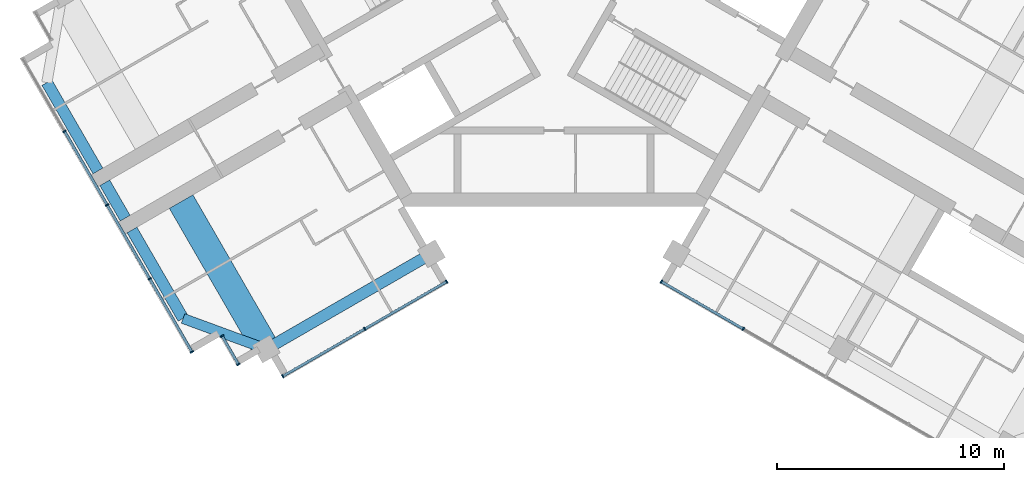
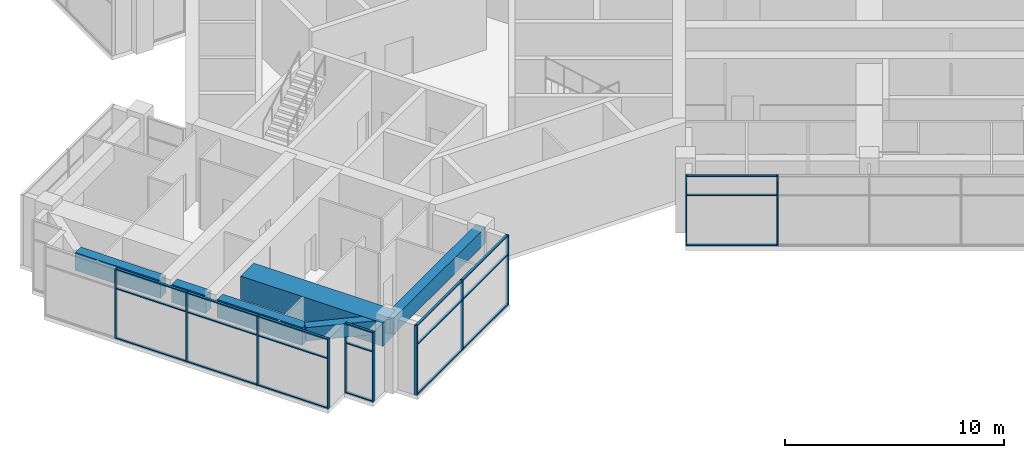
# One storey, part 2 of 14: 32 members, 6 beams, 4 elements without a shape of their own.
"""IFC4 building model written with IfcOpenShell, lengths in metres."""

from ifc_helpers import new_model, si_unit, direction, frame, origin, origin_2d, place, context, subcontext, project, spatial, rectangle, extrude, material, material_profile, profile_set, type_object, element, aggregate, save


model = new_model("IFC4")

# Units and contexts
model_context = context("Model", 3, precision=1e-05, world=origin(), true_north=direction((0.0, 1.0)))
body_context = subcontext(model_context, "Body", "Model", "MODEL_VIEW")
ifc_project = project(units=[si_unit("LENGTHUNIT", "METRE"), si_unit("AREAUNIT", "SQUARE_METRE"), si_unit("VOLUMEUNIT", "CUBIC_METRE"), si_unit("PLANEANGLEUNIT", "RADIAN"), si_unit("MASSUNIT", "GRAM", prefix="KILO")], contexts=[model_context])

# Site, building, storey
site_placement = place(None, origin())
site = spatial("IfcSite", under=ifc_project, at=site_placement, CompositionType="ELEMENT")
building_placement = place(site_placement, origin())
building = spatial("IfcBuilding", under=site, at=building_placement, Name="Impinga Residences", CompositionType="ELEMENT")
storey_placement = place(building_placement, frame((0.0, 0.0, 291.550048828125)))
storey = spatial("IfcBuildingStorey", under=building, at=storey_placement, Name="L73", CompositionType="ELEMENT", Elevation=291.550048828125)

# Beams
ifc_material_1 = material(Name="Concrete C60/75", Category="concrete")
ifc_material_profile_1 = material_profile(ifc_material_1, rectangle(XDim=0.449951171875, YDim=0.75, at=origin_2d()), Name="RC 450x750")
ifc_profile_set_1 = profile_set([ifc_material_profile_1], Name="Concrete C60/75")
beam_type_1 = type_object("IfcBeamType", Name="CB1 450x750 wing end cantilever beam", PredefinedType="BEAM", material=ifc_profile_set_1)
beam_1_placement = place(storey_placement, frame((-12.674560546875, -17.7099609375, 3.52490234375), z_axis=(-0.938520178725, 0.345224382289, 0.0), x_axis=(-0.345224382289, -0.938520178725, 0.0)))
element("IfcBeam", 1, at=beam_1_placement, inside=storey, type_object=beam_type_1, Name="Beam CB1 WB W2-WX level L74", PredefinedType="BEAM", context=body_context, shape_type="SweptSolid", body=[
    extrude(rectangle(XDim=0.449951171875, YDim=0.75, at=origin_2d()), origin(), (0.0, 0.0, 1.0), 3.905029296875),
])
ifc_material_profile_2 = material_profile(ifc_material_1, rectangle(XDim=1.199951171875, YDim=1.300048828125, at=origin_2d()), Name="RC 1200x1300")
ifc_profile_set_2 = profile_set([ifc_material_profile_2], Name="Concrete C60/75")
beam_type_2 = type_object("IfcBeamType", Name="CG2 1200x1300 cross girder on a wing bay line", PredefinedType="BEAM", material=ifc_profile_set_2)
beam_2_placement = place(storey_placement, frame((-16.424560546875, -11.21484375, 3.25), z_axis=(0.500004234368, -0.866022959057, 0.0), x_axis=(0.866022959057, 0.500004234368, 0.0)))
element("IfcBeam", 2, at=beam_2_placement, inside=storey, type_object=beam_type_2, Name="Beam CG2 W2 WC/WA level L74", PredefinedType="BEAM", context=body_context, shape_type="SweptSolid", body=[
    extrude(rectangle(XDim=1.199951171875, YDim=1.300048828125, at=origin_2d()), origin(), (0.0, 0.0, 1.0), 7.5),
])

# Curtain wall, members
ifc_material_2 = material(Name="Aluminium stick curtain wall", Category="aluminium")
curtain_wall_type = type_object("IfcCurtainWallType", Name="CW3 penthouse curtain wall", PredefinedType="USERDEFINED", material=ifc_material_2)
curtain_wall_1_placement = place(storey_placement, origin())
curtain_wall_1 = element("IfcCurtainWall", 3, at=curtain_wall_1_placement, inside=storey, type_object=curtain_wall_type, Name="Curtain wall CW3 L73", ObjectType="STICK CURTAIN WALL", PredefinedType="USERDEFINED")
ifc_material_3 = material(Name="Aluminium mullion", Category="aluminium")
ifc_material_profile_3 = material_profile(ifc_material_3, rectangle(XDim=0.06005859375, YDim=0.159912109375, at=origin_2d()), Name="60x160 mullion")
ifc_profile_set_3 = profile_set([ifc_material_profile_3], Name="Aluminium mullion")
member_type_1 = type_object("IfcMemberType", Name="CW3-M mullion 60x160", PredefinedType="MULLION", material=ifc_profile_set_3)
member_1_placement = place(storey_placement, frame((8.33740234375, -16.822509765625, 0.0), z_axis=(0.0, 0.0, 1.0), x_axis=(-0.866025407005, 0.499999994423, 0.0)))
member_1 = element("IfcMember", 4, at=member_1_placement, type_object=member_type_1, Name="CW3 mullion 4", PredefinedType="MULLION", context=body_context, shape_type="SweptSolid", body=[
    extrude(rectangle(XDim=0.06005859375, YDim=0.159912109375, at=origin_2d()), origin(), (0.0, 0.0, 1.0), 3.89990234375),
])
member_2_placement = place(storey_placement, frame((4.72607421875, -14.737548828125, 0.0), z_axis=(0.0, 0.0, 1.0), x_axis=(-0.866025407005, 0.499999994423, 0.0)))
member_2 = element("IfcMember", 5, at=member_2_placement, type_object=member_type_1, Name="CW3 mullion 5", PredefinedType="MULLION", context=body_context, shape_type="SweptSolid", body=[
    extrude(rectangle(XDim=0.06005859375, YDim=0.159912109375, at=origin_2d()), origin(), (0.0, 0.0, 1.0), 3.89990234375),
])

curtain_wall_2_placement = place(storey_placement, origin())
curtain_wall_2 = element("IfcCurtainWall", 6, at=curtain_wall_2_placement, inside=storey, type_object=curtain_wall_type, Name="Curtain wall CW3 L73", ObjectType="STICK CURTAIN WALL", PredefinedType="USERDEFINED")
member_3_placement = place(storey_placement, frame((-4.72607421875, -14.737548828125, 0.0), z_axis=(0.0, 0.0, 1.0), x_axis=(-0.866025392126, -0.500000020194, 0.0)))
member_3 = element("IfcMember", 7, at=member_3_placement, type_object=member_type_1, Name="CW3 mullion 1", PredefinedType="MULLION", context=body_context, shape_type="SweptSolid", body=[
    extrude(rectangle(XDim=0.06005859375, YDim=0.159912109375, at=origin_2d()), origin(), (0.0, 0.0, 1.0), 3.89990234375),
])
member_4_placement = place(storey_placement, frame((-8.33740234375, -16.822509765625, 0.0), z_axis=(0.0, 0.0, 1.0), x_axis=(-0.866025392126, -0.500000020194, 0.0)))
member_4 = element("IfcMember", 8, at=member_4_placement, type_object=member_type_1, Name="CW3 mullion 2", PredefinedType="MULLION", context=body_context, shape_type="SweptSolid", body=[
    extrude(rectangle(XDim=0.06005859375, YDim=0.159912109375, at=origin_2d()), origin(), (0.0, 0.0, 1.0), 3.89990234375),
])
member_5_placement = place(storey_placement, frame((-11.94873046875, -18.907470703125, 0.0), z_axis=(0.0, 0.0, 1.0), x_axis=(-0.866025392126, -0.500000020194, 0.0)))
member_5 = element("IfcMember", 9, at=member_5_placement, type_object=member_type_1, Name="CW3 mullion 3", PredefinedType="MULLION", context=body_context, shape_type="SweptSolid", body=[
    extrude(rectangle(XDim=0.06005859375, YDim=0.159912109375, at=origin_2d()), origin(), (0.0, 0.0, 1.0), 3.89990234375),
])

curtain_wall_3_placement = place(storey_placement, origin())
curtain_wall_3 = element("IfcCurtainWall", 10, at=curtain_wall_3_placement, inside=storey, type_object=curtain_wall_type, Name="Curtain wall CW3 L73", ObjectType="STICK CURTAIN WALL", PredefinedType="USERDEFINED")
member_6_placement = place(storey_placement, frame((-13.902099609375, -18.384033203125, 0.0), z_axis=(0.0, 0.0, 1.0), x_axis=(-0.500000030502, 0.866025386174, 0.0)))
member_6 = element("IfcMember", 11, at=member_6_placement, type_object=member_type_1, Name="CW3 mullion 1", PredefinedType="MULLION", context=body_context, shape_type="SweptSolid", body=[
    extrude(rectangle(XDim=0.06005859375, YDim=0.159912109375, at=origin_2d()), origin(), (0.0, 0.0, 1.0), 3.89990234375),
])
member_7_placement = place(storey_placement, frame((-14.6220703125, -17.136962890625, 0.0), z_axis=(0.0, 0.0, 1.0), x_axis=(-0.500000030502, 0.866025386174, 0.0)))
member_7 = element("IfcMember", 12, at=member_7_placement, type_object=member_type_1, Name="CW3 mullion 2", PredefinedType="MULLION", context=body_context, shape_type="SweptSolid", body=[
    extrude(rectangle(XDim=0.06005859375, YDim=0.159912109375, at=origin_2d()), origin(), (0.0, 0.0, 1.0), 3.89990234375),
])

curtain_wall_4_placement = place(storey_placement, origin())
curtain_wall_4 = element("IfcCurtainWall", 13, at=curtain_wall_4_placement, inside=storey, type_object=curtain_wall_type, Name="Curtain wall CW3 L73", ObjectType="STICK CURTAIN WALL", PredefinedType="USERDEFINED")
member_8_placement = place(storey_placement, frame((-15.951171875, -17.8349609375, 0.0), z_axis=(0.0, 0.0, 1.0), x_axis=(-0.500000001632, 0.866025402842, 0.0)))
member_8 = element("IfcMember", 14, at=member_8_placement, type_object=member_type_1, Name="CW3 mullion 1", PredefinedType="MULLION", context=body_context, shape_type="SweptSolid", body=[
    extrude(rectangle(XDim=0.06005859375, YDim=0.159912109375, at=origin_2d()), origin(), (0.0, 0.0, 1.0), 3.89990234375),
])
member_9_placement = place(storey_placement, frame((-17.81103515625, -14.61328125, 0.0), z_axis=(0.0, 0.0, 1.0), x_axis=(-0.500000001632, 0.866025402842, 0.0)))
member_9 = element("IfcMember", 15, at=member_9_placement, type_object=member_type_1, Name="CW3 mullion 2", PredefinedType="MULLION", context=body_context, shape_type="SweptSolid", body=[
    extrude(rectangle(XDim=0.06005859375, YDim=0.159912109375, at=origin_2d()), origin(), (0.0, 0.0, 1.0), 3.89990234375),
])
member_10_placement = place(storey_placement, frame((-19.68603515625, -11.36572265625, 0.0), z_axis=(0.0, 0.0, 1.0), x_axis=(-0.500000001632, 0.866025402842, 0.0)))
member_10 = element("IfcMember", 16, at=member_10_placement, type_object=member_type_1, Name="CW3 mullion 3", PredefinedType="MULLION", context=body_context, shape_type="SweptSolid", body=[
    extrude(rectangle(XDim=0.06005859375, YDim=0.159912109375, at=origin_2d()), origin(), (0.0, 0.0, 1.0), 3.89990234375),
])
member_11_placement = place(storey_placement, frame((-21.56103515625, -8.1181640625, 0.0), z_axis=(0.0, 0.0, 1.0), x_axis=(-0.500000001632, 0.866025402842, 0.0)))
member_11 = element("IfcMember", 17, at=member_11_placement, type_object=member_type_1, Name="CW3 mullion 4", PredefinedType="MULLION", context=body_context, shape_type="SweptSolid", body=[
    extrude(rectangle(XDim=0.06005859375, YDim=0.159912109375, at=origin_2d()), origin(), (0.0, 0.0, 1.0), 3.89990234375),
])

# Member
ifc_material_4 = material(Name="Aluminium transom", Category="aluminium")
ifc_material_profile_4 = material_profile(ifc_material_4, rectangle(XDim=0.06005859375, YDim=0.1201171875, at=origin_2d()), Name="60x120 transom")
ifc_profile_set_4 = profile_set([ifc_material_profile_4], Name="Aluminium transom")
member_type_2 = type_object("IfcMemberType", Name="CW3-T transom 60x120", PredefinedType="USERDEFINED", material=ifc_profile_set_4)
member_12_placement = place(storey_placement, frame((8.311279296875, -16.807373046875, 0.030029296875), z_axis=(-0.866030279993, 0.499991554064, 0.0), x_axis=(0.0, 0.0, 1.0)))
member_12 = element("IfcMember", 18, at=member_12_placement, type_object=member_type_2, Name="CW3 transom 4.1", ObjectType="TRANSOM", PredefinedType="USERDEFINED", context=body_context, shape_type="SweptSolid", body=[
    extrude(rectangle(XDim=0.06005859375, YDim=0.1201171875, at=origin_2d()), origin(), (0.0, 0.0, 1.0), 4.10986328125),
])

member_13_placement = place(storey_placement, frame((8.311279296875, -16.807373046875, 2.800048828125), z_axis=(-0.866030279993, 0.499991554064, 0.0), x_axis=(0.0, 0.0, 1.0)))
member_13 = element("IfcMember", 19, at=member_13_placement, type_object=member_type_2, Name="CW3 transom 4.2", ObjectType="TRANSOM", PredefinedType="USERDEFINED", context=body_context, shape_type="SweptSolid", body=[
    extrude(rectangle(XDim=0.06005859375, YDim=0.1201171875, at=origin_2d()), origin(), (0.0, 0.0, 1.0), 4.10986328125),
])

member_14_placement = place(storey_placement, frame((8.311279296875, -16.807373046875, 3.869873046875), z_axis=(-0.866030279993, 0.499991554064, 0.0), x_axis=(0.0, 0.0, 1.0)))
member_14 = element("IfcMember", 20, at=member_14_placement, type_object=member_type_2, Name="CW3 transom 4.3", ObjectType="TRANSOM", PredefinedType="USERDEFINED", context=body_context, shape_type="SweptSolid", body=[
    extrude(rectangle(XDim=0.06005859375, YDim=0.1201171875, at=origin_2d()), origin(), (0.0, 0.0, 1.0), 4.10986328125),
])

aggregate(curtain_wall_1, [member_1, member_2, member_12, member_13, member_14])

member_15_placement = place(storey_placement, frame((-4.751953125, -14.75244140625, 0.030029296875), z_axis=(-0.866030279993, -0.499991554064, 0.0), x_axis=(0.0, 0.0, 1.0)))
member_15 = element("IfcMember", 21, at=member_15_placement, type_object=member_type_2, Name="CW3 transom 1.1", ObjectType="TRANSOM", PredefinedType="USERDEFINED", context=body_context, shape_type="SweptSolid", body=[
    extrude(rectangle(XDim=0.06005859375, YDim=0.1201171875, at=origin_2d()), origin(), (0.0, 0.0, 1.0), 4.10986328125),
])

member_16_placement = place(storey_placement, frame((-4.751953125, -14.75244140625, 2.800048828125), z_axis=(-0.866030279993, -0.499991554064, 0.0), x_axis=(0.0, 0.0, 1.0)))
member_16 = element("IfcMember", 22, at=member_16_placement, type_object=member_type_2, Name="CW3 transom 1.2", ObjectType="TRANSOM", PredefinedType="USERDEFINED", context=body_context, shape_type="SweptSolid", body=[
    extrude(rectangle(XDim=0.06005859375, YDim=0.1201171875, at=origin_2d()), origin(), (0.0, 0.0, 1.0), 4.10986328125),
])

member_17_placement = place(storey_placement, frame((-4.751953125, -14.75244140625, 3.869873046875), z_axis=(-0.866030279993, -0.499991554064, 0.0), x_axis=(0.0, 0.0, 1.0)))
member_17 = element("IfcMember", 23, at=member_17_placement, type_object=member_type_2, Name="CW3 transom 1.3", ObjectType="TRANSOM", PredefinedType="USERDEFINED", context=body_context, shape_type="SweptSolid", body=[
    extrude(rectangle(XDim=0.06005859375, YDim=0.1201171875, at=origin_2d()), origin(), (0.0, 0.0, 1.0), 4.10986328125),
])

member_18_placement = place(storey_placement, frame((-8.36328125, -16.83740234375, 0.030029296875), z_axis=(-0.866030279993, -0.499991554064, 0.0), x_axis=(0.0, 0.0, 1.0)))
member_18 = element("IfcMember", 24, at=member_18_placement, type_object=member_type_2, Name="CW3 transom 2.1", ObjectType="TRANSOM", PredefinedType="USERDEFINED", context=body_context, shape_type="SweptSolid", body=[
    extrude(rectangle(XDim=0.06005859375, YDim=0.1201171875, at=origin_2d()), origin(), (0.0, 0.0, 1.0), 4.10986328125),
])

member_19_placement = place(storey_placement, frame((-8.36328125, -16.83740234375, 2.800048828125), z_axis=(-0.866030279993, -0.499991554064, 0.0), x_axis=(0.0, 0.0, 1.0)))
member_19 = element("IfcMember", 25, at=member_19_placement, type_object=member_type_2, Name="CW3 transom 2.2", ObjectType="TRANSOM", PredefinedType="USERDEFINED", context=body_context, shape_type="SweptSolid", body=[
    extrude(rectangle(XDim=0.06005859375, YDim=0.1201171875, at=origin_2d()), origin(), (0.0, 0.0, 1.0), 4.10986328125),
])

member_20_placement = place(storey_placement, frame((-8.36328125, -16.83740234375, 3.869873046875), z_axis=(-0.866030279993, -0.499991554064, 0.0), x_axis=(0.0, 0.0, 1.0)))
member_20 = element("IfcMember", 26, at=member_20_placement, type_object=member_type_2, Name="CW3 transom 2.3", ObjectType="TRANSOM", PredefinedType="USERDEFINED", context=body_context, shape_type="SweptSolid", body=[
    extrude(rectangle(XDim=0.06005859375, YDim=0.1201171875, at=origin_2d()), origin(), (0.0, 0.0, 1.0), 4.10986328125),
])

aggregate(curtain_wall_2, [member_3, member_4, member_5, member_15, member_16, member_17, member_18, member_19, member_20])

member_21_placement = place(storey_placement, frame((-13.9169921875, -18.358154296875, 0.030029296875), z_axis=(-0.499906209203, 0.866079547155, 0.0), x_axis=(0.0, 0.0, 1.0)))
member_21 = element("IfcMember", 27, at=member_21_placement, type_object=member_type_2, Name="CW3 transom 1.1", ObjectType="TRANSOM", PredefinedType="USERDEFINED", context=body_context, shape_type="SweptSolid", body=[
    extrude(rectangle(XDim=0.06005859375, YDim=0.1201171875, at=origin_2d()), origin(), (0.0, 0.0, 1.0), 1.380126953125),
])

member_22_placement = place(storey_placement, frame((-13.9169921875, -18.358154296875, 2.800048828125), z_axis=(-0.499906209203, 0.866079547155, 0.0), x_axis=(0.0, 0.0, 1.0)))
member_22 = element("IfcMember", 28, at=member_22_placement, type_object=member_type_2, Name="CW3 transom 1.2", ObjectType="TRANSOM", PredefinedType="USERDEFINED", context=body_context, shape_type="SweptSolid", body=[
    extrude(rectangle(XDim=0.06005859375, YDim=0.1201171875, at=origin_2d()), origin(), (0.0, 0.0, 1.0), 1.380126953125),
])

member_23_placement = place(storey_placement, frame((-13.9169921875, -18.358154296875, 3.869873046875), z_axis=(-0.499906209203, 0.866079547155, 0.0), x_axis=(0.0, 0.0, 1.0)))
member_23 = element("IfcMember", 29, at=member_23_placement, type_object=member_type_2, Name="CW3 transom 1.3", ObjectType="TRANSOM", PredefinedType="USERDEFINED", context=body_context, shape_type="SweptSolid", body=[
    extrude(rectangle(XDim=0.06005859375, YDim=0.1201171875, at=origin_2d()), origin(), (0.0, 0.0, 1.0), 1.380126953125),
])

aggregate(curtain_wall_3, [member_6, member_7, member_21, member_22, member_23])

member_24_placement = place(storey_placement, frame((-15.966064453125, -17.80908203125, 0.030029296875), z_axis=(-0.500013080017, 0.866017851902, 0.0), x_axis=(0.0, 0.0, 1.0)))
member_24 = element("IfcMember", 30, at=member_24_placement, type_object=member_type_2, Name="CW3 transom 1.1", ObjectType="TRANSOM", PredefinedType="USERDEFINED", context=body_context, shape_type="SweptSolid", body=[
    extrude(rectangle(XDim=0.06005859375, YDim=0.1201171875, at=origin_2d()), origin(), (0.0, 0.0, 1.0), 3.66015625),
])

member_25_placement = place(storey_placement, frame((-15.966064453125, -17.80908203125, 2.800048828125), z_axis=(-0.500013080017, 0.866017851902, 0.0), x_axis=(0.0, 0.0, 1.0)))
member_25 = element("IfcMember", 31, at=member_25_placement, type_object=member_type_2, Name="CW3 transom 1.2", ObjectType="TRANSOM", PredefinedType="USERDEFINED", context=body_context, shape_type="SweptSolid", body=[
    extrude(rectangle(XDim=0.06005859375, YDim=0.1201171875, at=origin_2d()), origin(), (0.0, 0.0, 1.0), 3.66015625),
])

member_26_placement = place(storey_placement, frame((-15.966064453125, -17.80908203125, 3.869873046875), z_axis=(-0.500013080017, 0.866017851902, 0.0), x_axis=(0.0, 0.0, 1.0)))
member_26 = element("IfcMember", 32, at=member_26_placement, type_object=member_type_2, Name="CW3 transom 1.3", ObjectType="TRANSOM", PredefinedType="USERDEFINED", context=body_context, shape_type="SweptSolid", body=[
    extrude(rectangle(XDim=0.06005859375, YDim=0.1201171875, at=origin_2d()), origin(), (0.0, 0.0, 1.0), 3.66015625),
])

member_27_placement = place(storey_placement, frame((-17.826171875, -14.58740234375, 0.030029296875), z_axis=(-0.500003092839, 0.866023618125, 0.0), x_axis=(0.0, 0.0, 1.0)))
member_27 = element("IfcMember", 33, at=member_27_placement, type_object=member_type_2, Name="CW3 transom 2.1", ObjectType="TRANSOM", PredefinedType="USERDEFINED", context=body_context, shape_type="SweptSolid", body=[
    extrude(rectangle(XDim=0.06005859375, YDim=0.1201171875, at=origin_2d()), origin(), (0.0, 0.0, 1.0), 3.68994140625),
])

member_28_placement = place(storey_placement, frame((-17.826171875, -14.58740234375, 2.800048828125), z_axis=(-0.500003092839, 0.866023618125, 0.0), x_axis=(0.0, 0.0, 1.0)))
member_28 = element("IfcMember", 34, at=member_28_placement, type_object=member_type_2, Name="CW3 transom 2.2", ObjectType="TRANSOM", PredefinedType="USERDEFINED", context=body_context, shape_type="SweptSolid", body=[
    extrude(rectangle(XDim=0.06005859375, YDim=0.1201171875, at=origin_2d()), origin(), (0.0, 0.0, 1.0), 3.68994140625),
])

member_29_placement = place(storey_placement, frame((-17.826171875, -14.58740234375, 3.869873046875), z_axis=(-0.500003092839, 0.866023618125, 0.0), x_axis=(0.0, 0.0, 1.0)))
member_29 = element("IfcMember", 35, at=member_29_placement, type_object=member_type_2, Name="CW3 transom 2.3", ObjectType="TRANSOM", PredefinedType="USERDEFINED", context=body_context, shape_type="SweptSolid", body=[
    extrude(rectangle(XDim=0.06005859375, YDim=0.1201171875, at=origin_2d()), origin(), (0.0, 0.0, 1.0), 3.68994140625),
])

member_30_placement = place(storey_placement, frame((-19.701171875, -11.33984375, 0.030029296875), z_axis=(-0.499974444137, 0.866040157966, 0.0), x_axis=(0.0, 0.0, 1.0)))
member_30 = element("IfcMember", 36, at=member_30_placement, type_object=member_type_2, Name="CW3 transom 3.1", ObjectType="TRANSOM", PredefinedType="USERDEFINED", context=body_context, shape_type="SweptSolid", body=[
    extrude(rectangle(XDim=0.06005859375, YDim=0.1201171875, at=origin_2d()), origin(), (0.0, 0.0, 1.0), 3.690185546875),
])

member_31_placement = place(storey_placement, frame((-19.701171875, -11.33984375, 2.800048828125), z_axis=(-0.499974444137, 0.866040157966, 0.0), x_axis=(0.0, 0.0, 1.0)))
member_31 = element("IfcMember", 37, at=member_31_placement, type_object=member_type_2, Name="CW3 transom 3.2", ObjectType="TRANSOM", PredefinedType="USERDEFINED", context=body_context, shape_type="SweptSolid", body=[
    extrude(rectangle(XDim=0.06005859375, YDim=0.1201171875, at=origin_2d()), origin(), (0.0, 0.0, 1.0), 3.690185546875),
])

member_32_placement = place(storey_placement, frame((-19.701171875, -11.33984375, 3.869873046875), z_axis=(-0.499974444137, 0.866040157966, 0.0), x_axis=(0.0, 0.0, 1.0)))
member_32 = element("IfcMember", 38, at=member_32_placement, type_object=member_type_2, Name="CW3 transom 3.3", ObjectType="TRANSOM", PredefinedType="USERDEFINED", context=body_context, shape_type="SweptSolid", body=[
    extrude(rectangle(XDim=0.06005859375, YDim=0.1201171875, at=origin_2d()), origin(), (0.0, 0.0, 1.0), 3.690185546875),
])

aggregate(curtain_wall_4, [member_8, member_9, member_10, member_11, member_24, member_25, member_26, member_27, member_28, member_29, member_30, member_31, member_32])

# Beams
ifc_material_profile_5 = material_profile(ifc_material_1, rectangle(XDim=0.5, YDim=1.0, at=origin_2d()), Name="RC 500x1000")
ifc_profile_set_5 = profile_set([ifc_material_profile_5], Name="Concrete C60/75")
beam_type_3 = type_object("IfcBeamType", Name="EB1 500x1000 wing end beam", PredefinedType="BEAM", material=ifc_profile_set_5)
beam_3_placement = place(storey_placement, frame((-16.339599609375, -16.36181640625, 3.39990234375), z_axis=(-0.500013631625, 0.866017533419, 0.0), x_axis=(-0.866017533419, -0.500013631625, 0.0)))
element("IfcBeam", 39, at=beam_3_placement, inside=storey, type_object=beam_type_3, Name="Beam EB1 WX1 level L74", PredefinedType="BEAM", context=body_context, shape_type="SweptSolid", body=[
    extrude(rectangle(XDim=0.5, YDim=1.0, at=origin_2d()), origin(), (0.0, 0.0, 1.0), 4.499755859375),
])
beam_4_placement = place(storey_placement, frame((-18.8896484375, -11.945068359375, 3.39990234375), z_axis=(-0.500062916607, 0.865989075817, 0.0), x_axis=(-0.865989075817, -0.500062916607, 0.0)))
element("IfcBeam", 40, at=beam_4_placement, inside=storey, type_object=beam_type_3, Name="Beam EB1 WX1 level L74", PredefinedType="BEAM", context=body_context, shape_type="SweptSolid", body=[
    extrude(rectangle(XDim=0.5, YDim=1.0, at=origin_2d()), origin(), (0.0, 0.0, 1.0), 1.800048828125),
])
beam_5_placement = place(storey_placement, frame((-20.089599609375, -9.86669921875, 3.39990234375), z_axis=(-0.500013631625, 0.866017533419, 0.0), x_axis=(-0.866017533419, -0.500013631625, 0.0)))
element("IfcBeam", 41, at=beam_5_placement, inside=storey, type_object=beam_type_3, Name="Beam EB1 WX1 level L74", PredefinedType="BEAM", context=body_context, shape_type="SweptSolid", body=[
    extrude(rectangle(XDim=0.5, YDim=1.0, at=origin_2d()), origin(), (0.0, 0.0, 1.0), 4.499755859375),
])
ifc_material_profile_6 = material_profile(ifc_material_1, rectangle(XDim=0.5, YDim=0.89990234375, at=origin_2d()), Name="RC 500x900")
ifc_profile_set_6 = profile_set([ifc_material_profile_6], Name="Concrete C60/75")
beam_type_4 = type_object("IfcBeamType", Name="SB1 500x900 perimeter spandrel beam", PredefinedType="SPANDREL", material=ifc_profile_set_6)
beam_6_placement = place(storey_placement, frame((-5.39990234375, -13.510009765625, 3.449951171875), z_axis=(-0.86602925447, -0.499993330357, 0.0), x_axis=(0.499993330357, -0.86602925447, 0.0)))
element("IfcBeam", 42, at=beam_6_placement, inside=storey, type_object=beam_type_4, Name="Beam SB1 WA W1-W2 level L74", PredefinedType="SPANDREL", context=body_context, shape_type="SweptSolid", body=[
    extrude(rectangle(XDim=0.5, YDim=0.89990234375, at=origin_2d()), origin(), (0.0, 0.0, 1.0), 8.39990234375),
])

save(model, "model.ifc")
